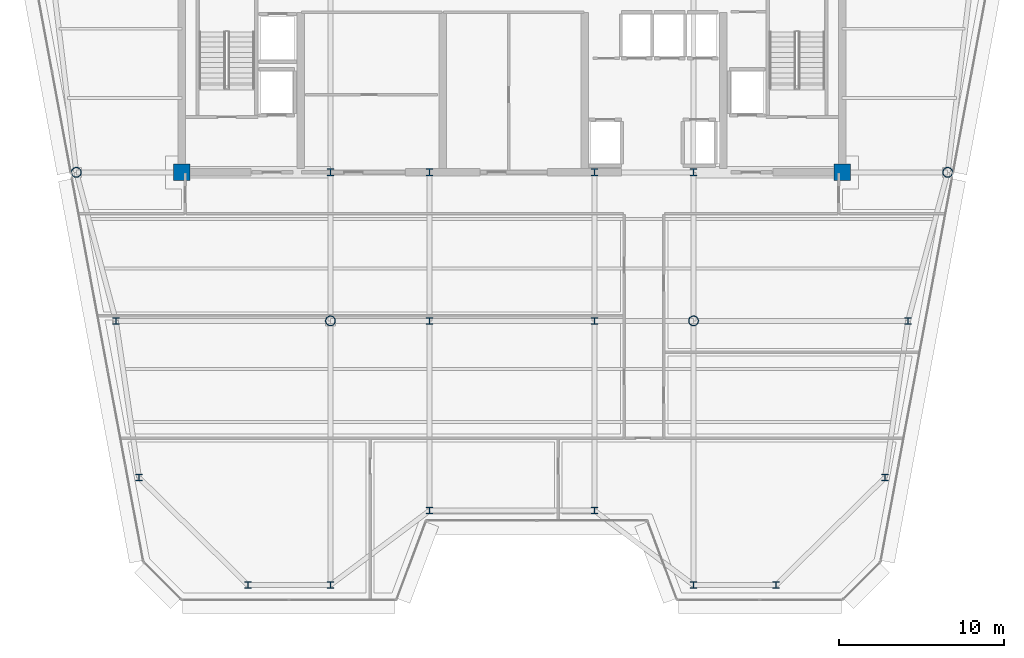
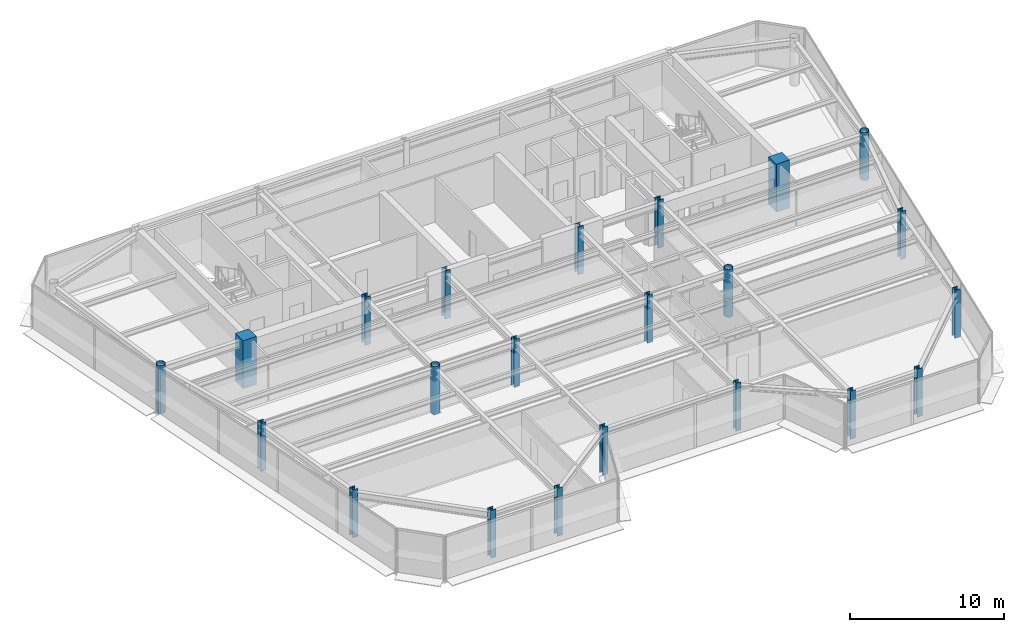
# One storey, part 1 of 18: 22 columns.
"""IFC4 building model written with IfcOpenShell, lengths in metres."""

import ifcopenshell
import ifcopenshell.guid

model = None  # the IFC model being written
_history = None  # IfcOwnerHistory: only IFC2X3 demands one
_inside = {}  # id of a spatial element -> (the spatial element, [elements in it])
_under = {}  # id of a project, library or spatial element -> (it, [spatial elements below it])
_declared = {}  # id of a project -> (the project, [libraries it declares])
_typed = {}  # id of a type object -> (the type object, [elements of that type])
_made_of = {}  # id of a material, layer set ... -> (it, [elements and type objects made of it])


def new_model(schema):
    """Start an empty IFC model of exactly this schema.

    Asked for "IFC4X3", IfcOpenShell would pick the latest addendum, in which some entities
    have other attributes; the version numbers below select the first issue.
    IFC2X3 requires an IfcOwnerHistory on every rooted entity: one is made here for all.
    """
    global model, _history
    if schema == "IFC4X3":
        model = ifcopenshell.file(schema_version=(4, 3, 0, 0))
    else:
        model = ifcopenshell.file(schema=schema)
    _inside.clear()
    _under.clear()
    _declared.clear()
    _typed.clear()
    _made_of.clear()
    _history = None
    if model.schema == "IFC2X3":
        org = make("IfcOrganization", Name="unknown")
        user = make(
            "IfcPersonAndOrganization",
            ThePerson=make("IfcPerson", FamilyName="unknown"),
            TheOrganization=org,
        )
        app = make(
            "IfcApplication",
            ApplicationDeveloper=org,
            Version="unknown",
            ApplicationFullName="unknown",
            ApplicationIdentifier="unknown",
        )
        _history = make(
            "IfcOwnerHistory",
            OwningUser=user,
            OwningApplication=app,
            ChangeAction="ADDED",
            CreationDate=0,
        )
    return model


def make(cls, **values):
    """One entity of the class cls with the attributes given. An attribute that is None is left unset."""
    return model.create_entity(
        cls, **{name: value for name, value in values.items() if value is not None}
    )


def rooted(cls, **values):
    """An entity with a GlobalId (a new one), such as an element, a storey or a relation."""
    return make(cls, GlobalId=ifcopenshell.guid.new(), OwnerHistory=_history, **values)


def si_unit(unit_type, name, prefix=None):
    """IfcSIUnit, for example si_unit("LENGTHUNIT", "METRE", prefix="MILLI")."""
    return make("IfcSIUnit", UnitType=unit_type, Prefix=prefix, Name=name)


def assignment(units):
    """IfcUnitAssignment: the units of a project."""
    return None if units is None else make("IfcUnitAssignment", Units=units)


def point(xyz):
    """IfcCartesianPoint."""
    return None if xyz is None else make("IfcCartesianPoint", Coordinates=xyz)


def direction(xyz):
    """IfcDirection."""
    return None if xyz is None else make("IfcDirection", DirectionRatios=xyz)


def frame(location, z_axis=None, x_axis=None):
    """IfcAxis2Placement3D, a coordinate frame: its origin and axes. An axis left out is left unset."""
    return make(
        "IfcAxis2Placement3D",
        Location=point(location),
        Axis=direction(z_axis),
        RefDirection=direction(x_axis),
    )


def frame_2d(location, x_axis=None):
    """IfcAxis2Placement2D, a coordinate frame in the plane: its origin and x axis."""
    return make(
        "IfcAxis2Placement2D", Location=point(location), RefDirection=direction(x_axis)
    )


def origin():
    """The frame at (0, 0, 0) with its axes left unset."""
    return frame((0.0, 0.0, 0.0))


def origin_2d():
    """The frame at (0, 0) in the plane with its x axis left unset."""
    return frame_2d((0.0, 0.0))


def place(relative_to, where):
    """IfcLocalPlacement: puts the frame where relative to a parent placement (None: the world)."""
    return make(
        "IfcLocalPlacement", PlacementRelTo=relative_to, RelativePlacement=where
    )


def context(
    kind, dimensions, precision=None, world=None, true_north=None, identifier=None
):
    """IfcGeometricRepresentationContext, for example the 3D "Model" context."""
    return make(
        "IfcGeometricRepresentationContext",
        ContextIdentifier=identifier,
        ContextType=kind,
        CoordinateSpaceDimension=dimensions,
        Precision=precision,
        WorldCoordinateSystem=world,
        TrueNorth=true_north,
    )


def subcontext(parent, identifier, kind, view, scale=None):
    """IfcGeometricRepresentationSubContext, for example "Body" below "Model"."""
    return make(
        "IfcGeometricRepresentationSubContext",
        ContextIdentifier=identifier,
        ContextType=kind,
        ParentContext=parent,
        TargetScale=scale,
        TargetView=view,
    )


def project(units=None, contexts=None):
    """IfcProject with its units and contexts."""
    return rooted(
        "IfcProject",
        Name="project",
        RepresentationContexts=contexts,
        UnitsInContext=assignment(units),
    )


def spatial(cls, under=None, at=None, **own):
    """A site, building, storey or space (cls), placed at a placement, below another one or the project."""
    s = rooted(cls, ObjectPlacement=at, **own)
    if under is not None:
        _under.setdefault(under.id(), (under, []))[1].append(s)
    return s


def profile(cls, at=None, kind="AREA", **sizes):
    """A parametric profile (cls). Its sizes go by their IFC names, for example OverallWidth=200.0."""
    return make(cls, ProfileType=kind, Position=at, **sizes)


def rectangle(**sizes):
    """IfcRectangleProfileDef."""
    return profile("IfcRectangleProfileDef", **sizes)


def hollow_circle(**sizes):
    """IfcCircleHollowProfileDef."""
    return profile("IfcCircleHollowProfileDef", **sizes)


def i_section(**sizes):
    """IfcIShapeProfileDef."""
    return profile("IfcIShapeProfileDef", **sizes)


def extrude(swept, where, along, depth):
    """IfcExtrudedAreaSolid: the profile swept, set in the frame where, extruded along a direction by depth."""
    return make(
        "IfcExtrudedAreaSolid",
        SweptArea=swept,
        Position=where,
        ExtrudedDirection=direction(along),
        Depth=depth,
    )


def shape(context_of_items, identifier, shape_type, items):
    """IfcShapeRepresentation: the items that make up one representation, for example the "Body"."""
    return make(
        "IfcShapeRepresentation",
        ContextOfItems=context_of_items,
        RepresentationIdentifier=identifier,
        RepresentationType=shape_type,
        Items=items,
    )


def source(mapping_origin, context_of_items, identifier, shape_type, items):
    """IfcRepresentationMap: a shape defined once, which mapped items show again and again."""
    return make(
        "IfcRepresentationMap",
        MappingOrigin=mapping_origin,
        MappedRepresentation=shape(context_of_items, identifier, shape_type, items),
    )


def transform(
    local_origin,
    x_axis=None,
    y_axis=None,
    z_axis=None,
    scale=None,
    scale2=None,
    scale3=None,
    uniform=True,
):
    """IfcCartesianTransformationOperator3D, or its non-uniform kind. x_axis, y_axis, z_axis: its Axis1, 2, 3."""
    if uniform:
        return make(
            "IfcCartesianTransformationOperator3D",
            Axis1=direction(x_axis),
            Axis2=direction(y_axis),
            LocalOrigin=point(local_origin),
            Scale=scale,
            Axis3=direction(z_axis),
        )
    return make(
        "IfcCartesianTransformationOperator3DnonUniform",
        Axis1=direction(x_axis),
        Axis2=direction(y_axis),
        LocalOrigin=point(local_origin),
        Scale=scale,
        Axis3=direction(z_axis),
        Scale2=scale2,
        Scale3=scale3,
    )


def mapped(mapping_source, mapping_target):
    """IfcMappedItem: shows the shape of a source again, moved by a transform."""
    return make(
        "IfcMappedItem", MappingSource=mapping_source, MappingTarget=mapping_target
    )


def material(Name=None, Category=None):
    """IfcMaterial."""
    return make("IfcMaterial", Name=Name, Category=Category)


def material_profile(
    of_material, cross_section, Name=None, Category=None, Priority=None
):
    """IfcMaterialProfile: a cross section and its material."""
    return make(
        "IfcMaterialProfile",
        Name=Name,
        Material=of_material,
        Profile=cross_section,
        Priority=Priority,
        Category=Category,
    )


def profile_set(profiles, Name=None, composite=None):
    """IfcMaterialProfileSet."""
    return make(
        "IfcMaterialProfileSet",
        Name=Name,
        MaterialProfiles=profiles,
        CompositeProfile=composite,
    )


def made_of(thing, what):
    """Note that an element or type object is made of a material, layer set ...; save() writes the relation."""
    if what is not None:
        _made_of.setdefault(what.id(), (what, []))[1].append(thing)
    return thing


def type_object(cls, material=None, **own):
    """A type object (cls), such as IfcWallType, which elements share."""
    return made_of(rooted(cls, **own), material)


def element(
    cls,
    number,
    at=None,
    inside=None,
    cuts=None,
    type_object=None,
    material=None,
    context=None,
    identifier="Body",
    shape_type=None,
    held_by="IfcProductDefinitionShape",
    body=None,
    shapes=None,
    **own,
):
    """One element of the class cls, such as IfcWall. Its Tag is "e" and its number.

    at: its placement. inside: the storey or other place that contains it. cuts: it is an
    opening in that element (IfcRelVoidsElement). A single representation is given by context,
    identifier, shape_type and body (its items); several are given by shapes. held_by: the class
    of the entity that holds the representations. save() writes the other relations.
    """
    e = rooted(cls, Tag="e%d" % number, ObjectPlacement=at, **own)
    if body is not None:
        shapes = [shape(context, identifier, shape_type, body)]
    if shapes is not None:
        e.Representation = make(held_by, Representations=shapes)
    if inside is not None:
        _inside.setdefault(inside.id(), (inside, []))[1].append(e)
    if cuts is not None:
        rooted(
            "IfcRelVoidsElement", RelatingBuildingElement=cuts, RelatedOpeningElement=e
        )
    if type_object is not None:
        _typed.setdefault(type_object.id(), (type_object, []))[1].append(e)
    return made_of(e, material)


def aggregate(whole, parts):
    """IfcRelAggregates: a whole, such as a stair, and the parts it consists of."""
    return rooted("IfcRelAggregates", RelatingObject=whole, RelatedObjects=parts)


def save(model, path):
    """Write the relations noted so far, then the file.

    IfcRelAggregates (storeys below a building ...), IfcRelContainedInSpatialStructure (elements
    in a storey), IfcRelDefinesByType, IfcRelAssociatesMaterial and IfcRelDeclares: one each for
    every whole, place, type object, material and project.
    """
    for whole, parts in _under.values():
        aggregate(whole, parts)
    for where, things in _inside.values():
        rooted(
            "IfcRelContainedInSpatialStructure",
            RelatedElements=things,
            RelatingStructure=where,
        )
    for kind, things in _typed.values():
        rooted("IfcRelDefinesByType", RelatedObjects=things, RelatingType=kind)
    for what, things in _made_of.values():
        rooted("IfcRelAssociatesMaterial", RelatedObjects=things, RelatingMaterial=what)
    for by, libraries in _declared.values():
        rooted("IfcRelDeclares", RelatingContext=by, RelatedDefinitions=libraries)
    model.write(path)


model = new_model("IFC4")

# Units and contexts
model_context = context("Model", 3, precision=1e-05, world=origin(), true_north=direction((0.0, 1.0)))
body_context = subcontext(model_context, "Body", "Model", "MODEL_VIEW")
ifc_project = project(units=[si_unit("LENGTHUNIT", "METRE"), si_unit("AREAUNIT", "SQUARE_METRE"), si_unit("VOLUMEUNIT", "CUBIC_METRE"), si_unit("PLANEANGLEUNIT", "RADIAN"), si_unit("MASSUNIT", "GRAM", prefix="KILO")], contexts=[model_context])

# Site, building, storey
site_placement = place(None, origin())
site = spatial("IfcSite", under=ifc_project, at=site_placement, CompositionType="ELEMENT")
building_placement = place(site_placement, origin())
building = spatial("IfcBuilding", under=site, at=building_placement, Name="Vaeldorn Concourse Tower", CompositionType="ELEMENT")
storey_placement = place(building_placement, frame((0.0, 0.0, 253.60009765625)))
storey = spatial("IfcBuildingStorey", under=building, at=storey_placement, Name="L65", CompositionType="ELEMENT", Elevation=253.60009765625)

# Columns
ifc_material_1 = material(Name="Concrete C50/60", Category="concrete")
ifc_material_profile_1 = material_profile(ifc_material_1, rectangle(XDim=1.0, YDim=1.0, at=origin_2d()), Name="RC 1000x1000")
ifc_profile_set_1 = profile_set([ifc_material_profile_1], Name="Concrete C50/60")
column_type_1 = type_object("IfcColumnType", Name="COL-RC1000", PredefinedType="COLUMN", material=ifc_profile_set_1)
shared_shape_1 = source(origin(), body_context, "Body", "SweptSolid", [
    extrude(rectangle(XDim=1.0, YDim=1.0, at=origin_2d()), origin(), (0.0, 0.0, 1.0), 3.7998046875),
])
for number, where, z_axis, x_axis, name in (
    (1, (14.0, 36.5, 0.0), (0.0, 0.0, 1.0), (1.0, 0.0, 0.0), "Column C-FC1 L65"),
    (2, (54.0, 36.5, 0.0), (0.0, 0.0, 1.0), (1.0, 0.0, 0.0), "Column C-FC6 L65"),
):
    element("IfcColumn", number, at=place(storey_placement, frame(where, z_axis=z_axis, x_axis=x_axis)), inside=storey, type_object=column_type_1, Name=name, PredefinedType="COLUMN", context=body_context, shape_type="MappedRepresentation", body=[
        mapped(shared_shape_1, transform((0.0, 0.0, 0.0), scale=1.0)),
    ])
ifc_material_2 = material(Name="Steel S460", Category="steel")
ifc_material_profile_2 = material_profile(ifc_material_2, i_section(OverallWidth=0.41796875, OverallDepth=0.455078125, WebThickness=0.0419921875, FlangeThickness=0.05810546875, FilletRadius=0.014892578125, at=origin_2d()), Name="HD 400x551")
ifc_profile_set_2 = profile_set([ifc_material_profile_2], Name="Steel S460")
column_type_2 = type_object("IfcColumnType", Name="COL-HD551", PredefinedType="COLUMN", material=ifc_profile_set_2)
shared_shape_2 = source(origin(), body_context, "Body", "SweptSolid", [
    extrude(i_section(OverallWidth=0.41796875, OverallDepth=0.455078125, WebThickness=0.0419921875, FlangeThickness=0.05810546875, FilletRadius=0.014892578125, at=origin_2d()), origin(), (0.0, 0.0, 1.0), 3.7998046875),
])
for number, where, z_axis, x_axis, name in (
    (3, (23.0, 36.5, 0.0), (0.0, 0.0, 1.0), (1.0, 0.0, 0.0), "Column C-FC2 L65"),
    (4, (29.0, 36.5, 0.0), (0.0, 0.0, 1.0), (1.0, 0.0, 0.0), "Column C-FC3 L65"),
    (5, (39.0, 36.5, 0.0), (0.0, 0.0, 1.0), (1.0, 0.0, 0.0), "Column C-FC4 L65"),
    (6, (45.0, 36.5, 0.0), (0.0, 0.0, 1.0), (1.0, 0.0, 0.0), "Column C-FC5 L65"),
):
    element("IfcColumn", number, at=place(storey_placement, frame(where, z_axis=z_axis, x_axis=x_axis)), inside=storey, type_object=column_type_2, Name=name, PredefinedType="COLUMN", context=body_context, shape_type="MappedRepresentation", body=[
        mapped(shared_shape_2, transform((0.0, 0.0, 0.0), scale=1.0)),
    ])
ifc_material_3 = material(Name="Steel S355", Category="steel")
ifc_material_profile_3 = material_profile(ifc_material_3, hollow_circle(Radius=0.304931640625, WallThickness=0.030029296875, at=origin_2d()), Name="CHS 610x30")
ifc_profile_set_3 = profile_set([ifc_material_profile_3], Name="Steel S355")
column_type_3 = type_object("IfcColumnType", Name="COL-CHS610", PredefinedType="COLUMN", material=ifc_profile_set_3)
shared_shape_3 = source(origin(), body_context, "Body", "SweptSolid", [
    extrude(hollow_circle(Radius=0.304931640625, WallThickness=0.030029296875, at=origin_2d()), origin(), (0.0, 0.0, 1.0), 3.7998046875),
])
for number, where, z_axis, x_axis, name in (
    (7, (7.60009765625, 36.5, 0.0), (0.0, 0.0, 1.0), (1.0, 0.0, 0.0), "Column C-NW2 L65"),
    (8, (60.39990234375, 36.5, 0.0), (0.0, 0.0, 1.0), (1.0, 0.0, 0.0), "Column C-NE2 L65"),
    (9, (23.0, 27.5, 0.0), (0.0, 0.0, 1.0), (1.0, 0.0, 0.0), "Column C-TW1 L65"),
    (10, (45.0, 27.5, 0.0), (0.0, 0.0, 1.0), (1.0, 0.0, 0.0), "Column C-TW4 L65"),
):
    element("IfcColumn", number, at=place(storey_placement, frame(where, z_axis=z_axis, x_axis=x_axis)), inside=storey, type_object=column_type_3, Name=name, PredefinedType="COLUMN", context=body_context, shape_type="MappedRepresentation", body=[
        mapped(shared_shape_3, transform((0.0, 0.0, 0.0), scale=1.0)),
    ])
ifc_material_profile_4 = material_profile(ifc_material_3, i_section(OverallWidth=0.40087890625, OverallDepth=0.39892578125, WebThickness=0.02490234375, FlangeThickness=0.034912109375, FilletRadius=0.014892578125, at=origin_2d()), Name="HD 400x314")
ifc_profile_set_4 = profile_set([ifc_material_profile_4], Name="Steel S355")
column_type_4 = type_object("IfcColumnType", Name="COL-HD314F", PredefinedType="COLUMN", material=ifc_profile_set_4)
shared_shape_4 = source(origin(), body_context, "Body", "SweptSolid", [
    extrude(i_section(OverallWidth=0.40087890625, OverallDepth=0.39892578125, WebThickness=0.02490234375, FlangeThickness=0.034912109375, FilletRadius=0.014892578125, at=origin_2d()), origin(), (0.0, 0.0, 1.0), 3.7998046875),
])
for number, where, z_axis, x_axis, name in (
    (11, (10.0, 27.5, 0.0), (0.0, 0.0, 1.0), (1.0, 0.0, 0.0), "Column C-FLW1 L65"),
    (12, (11.39990234375, 18.0, 0.0), (0.0, 0.0, 1.0), (1.0, 0.0, 0.0), "Column C-FLW2 L65"),
    (13, (58.0, 27.5, 0.0), (0.0, 0.0, 1.0), (1.0, 0.0, 0.0), "Column C-FLE1 L65"),
    (14, (56.60009765625, 18.0, 0.0), (0.0, 0.0, 1.0), (1.0, 0.0, 0.0), "Column C-FLE2 L65"),
):
    element("IfcColumn", number, at=place(storey_placement, frame(where, z_axis=z_axis, x_axis=x_axis)), inside=storey, type_object=column_type_4, Name=name, PredefinedType="COLUMN", context=body_context, shape_type="MappedRepresentation", body=[
        mapped(shared_shape_4, transform((0.0, 0.0, 0.0), scale=1.0)),
    ])
ifc_material_profile_5 = material_profile(ifc_material_3, i_section(OverallWidth=0.39794921875, OverallDepth=0.386962890625, WebThickness=0.0205078125, FlangeThickness=0.029052734375, FilletRadius=0.014892578125, at=origin_2d()), Name="HD 400x262")
ifc_profile_set_5 = profile_set([ifc_material_profile_5], Name="Steel S355")
column_type_5 = type_object("IfcColumnType", Name="COL-HD262T", PredefinedType="COLUMN", material=ifc_profile_set_5)
shared_shape_5 = source(origin(), body_context, "Body", "SweptSolid", [
    extrude(i_section(OverallWidth=0.39794921875, OverallDepth=0.386962890625, WebThickness=0.0205078125, FlangeThickness=0.029052734375, FilletRadius=0.014892578125, at=origin_2d()), origin(), (0.0, 0.0, 1.0), 3.7998046875),
])
for number, where, z_axis, x_axis, name in (
    (15, (29.0, 27.5, 0.0), (0.0, 0.0, 1.0), (1.0, 0.0, 0.0), "Column C-TW2 L65"),
    (16, (39.0, 27.5, 0.0), (0.0, 0.0, 1.0), (1.0, 0.0, 0.0), "Column C-TW3 L65"),
    (17, (18.0, 11.5, 0.0), (0.0, 0.0, 1.0), (1.0, 0.0, 0.0), "Column C-SF1 L65"),
    (18, (23.0, 11.5, 0.0), (0.0, 0.0, 1.0), (1.0, 0.0, 0.0), "Column C-SF2 L65"),
    (19, (29.0, 16.0, 0.0), (0.0, 0.0, 1.0), (1.0, 0.0, 0.0), "Column C-SF3 L65"),
    (20, (39.0, 16.0, 0.0), (0.0, 0.0, 1.0), (1.0, 0.0, 0.0), "Column C-SF4 L65"),
    (21, (45.0, 11.5, 0.0), (0.0, 0.0, 1.0), (1.0, 0.0, 0.0), "Column C-SF5 L65"),
    (22, (50.0, 11.5, 0.0), (0.0, 0.0, 1.0), (1.0, 0.0, 0.0), "Column C-SF6 L65"),
):
    element("IfcColumn", number, at=place(storey_placement, frame(where, z_axis=z_axis, x_axis=x_axis)), inside=storey, type_object=column_type_5, Name=name, PredefinedType="COLUMN", context=body_context, shape_type="MappedRepresentation", body=[
        mapped(shared_shape_5, transform((0.0, 0.0, 0.0), scale=1.0)),
    ])

save(model, "model.ifc")
